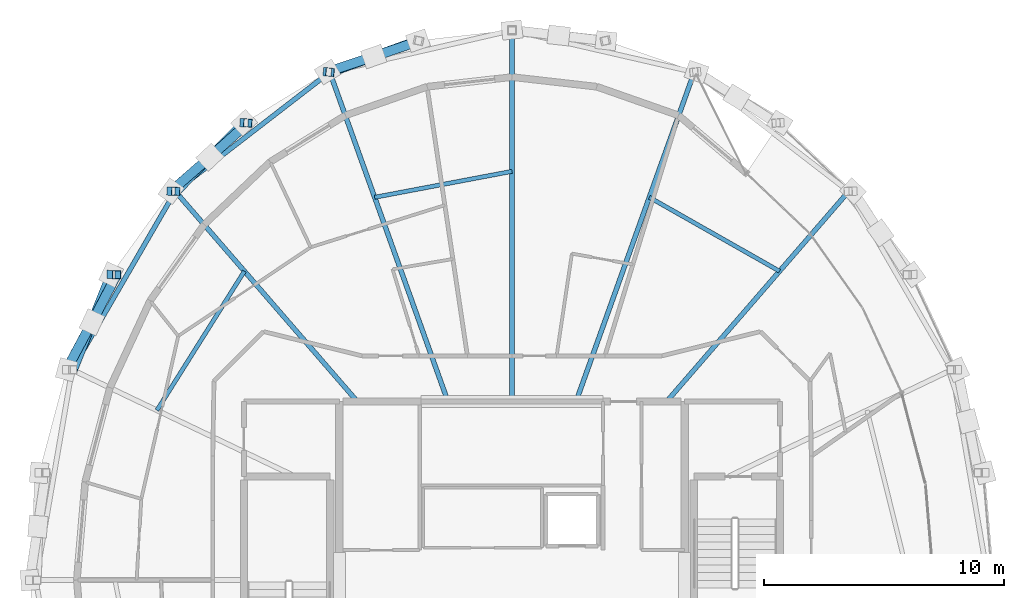
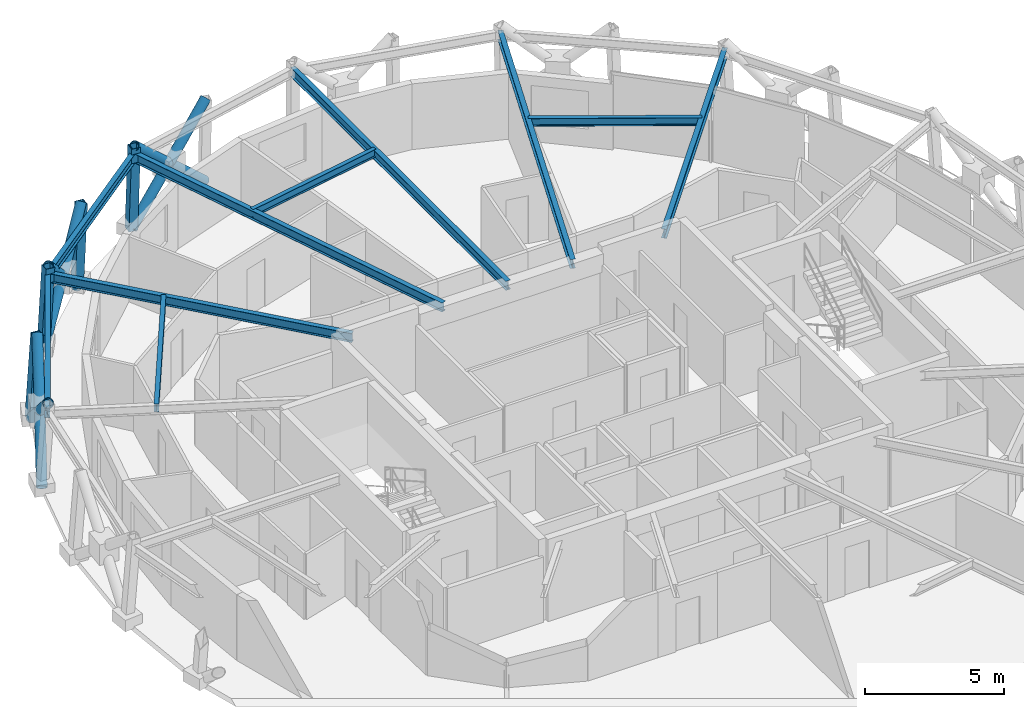
# One storey, part 7 of 17: 13 members, 10 beams.
"""IFC4 building model written with IfcOpenShell, lengths in metres."""

from ifc_helpers import new_model, si_unit, direction, frame, origin, origin_2d, place, context, subcontext, project, spatial, hollow_rectangle, hollow_circle, i_section, extrude, material, material_profile, profile_set, type_object, element, save


model = new_model("IFC4")

# Units and contexts
model_context = context("Model", 3, precision=1e-05, world=origin(), true_north=direction((0.0, 1.0)))
body_context = subcontext(model_context, "Body", "Model", "MODEL_VIEW")
ifc_project = project(units=[si_unit("LENGTHUNIT", "METRE"), si_unit("AREAUNIT", "SQUARE_METRE"), si_unit("VOLUMEUNIT", "CUBIC_METRE"), si_unit("PLANEANGLEUNIT", "RADIAN"), si_unit("MASSUNIT", "GRAM", prefix="KILO")], contexts=[model_context])

# Site, building, storey
site_placement = place(None, origin())
site = spatial("IfcSite", under=ifc_project, at=site_placement, CompositionType="ELEMENT")
building_placement = place(site_placement, origin())
building = spatial("IfcBuilding", under=site, at=building_placement, Name="Veldorina Hangang Commons", CompositionType="ELEMENT")
storey_placement = place(building_placement, frame((0.0, 0.0, 286.800048828125)))
storey = spatial("IfcBuildingStorey", under=building, at=storey_placement, Name="L75", CompositionType="ELEMENT", Elevation=286.800048828125)

# Beams
ifc_material = material(Name="Steel SM355-TMC", Category="steel")
ifc_material_profile_1 = material_profile(ifc_material, i_section(OverallWidth=0.199951171875, OverallDepth=0.39990234375, WebThickness=0.008056640625, FlangeThickness=0.012939453125, FilletRadius=0.012939453125, at=origin_2d()), Name="H-400x200x8x13")
ifc_profile_set_1 = profile_set([ifc_material_profile_1], Name="Steel SM355-TMC")
beam_type_1 = type_object("IfcBeamType", Name="BM-FG400", PredefinedType="BEAM", material=ifc_profile_set_1)
beam_1_placement = place(storey_placement, frame((38.452392578125, 31.449951171875, 3.159912109375), z_axis=(0.654685909514, 0.75590102519, 0.0), x_axis=(-0.75590102519, 0.654685909514, 0.0)))
element("IfcBeam", 1, at=beam_1_placement, inside=storey, type_object=beam_type_1, Name="L75 radial floor girder 03", PredefinedType="BEAM", context=body_context, shape_type="SweptSolid", body=[
    extrude(i_section(OverallWidth=0.199951171875, OverallDepth=0.39990234375, WebThickness=0.008056640625, FlangeThickness=0.012939453125, FilletRadius=0.012939453125, at=origin_2d()), origin(), (0.0, 0.0, 1.0), 11.590087890625),
])
beam_2_placement = place(storey_placement, frame((34.672607421875, 31.449951171875, 3.159912109375), z_axis=(0.337685698743, 0.941258927641, 0.0), x_axis=(-0.941258927641, 0.337685698743, 0.0)))
element("IfcBeam", 2, at=beam_2_placement, inside=storey, type_object=beam_type_1, Name="L75 radial floor girder 04", PredefinedType="BEAM", context=body_context, shape_type="SweptSolid", body=[
    extrude(i_section(OverallWidth=0.199951171875, OverallDepth=0.39990234375, WebThickness=0.008056640625, FlangeThickness=0.012939453125, FilletRadius=0.012939453125, at=origin_2d()), origin(), (0.0, 0.0, 1.0), 14.587646484375),
])
beam_3_placement = place(storey_placement, frame((32.0, 31.449951171875, 3.159912109375), z_axis=(0.0, 1.0, 0.0), x_axis=(-1.0, 0.0, 0.0)))
element("IfcBeam", 3, at=beam_3_placement, inside=storey, type_object=beam_type_1, Name="L75 radial floor girder 05", PredefinedType="BEAM", context=body_context, shape_type="SweptSolid", body=[
    extrude(i_section(OverallWidth=0.199951171875, OverallDepth=0.39990234375, WebThickness=0.008056640625, FlangeThickness=0.012939453125, FilletRadius=0.012939453125, at=origin_2d()), origin(), (0.0, 0.0, 1.0), 15.475830078125),
])
beam_4_placement = place(storey_placement, frame((29.327392578125, 31.449951171875, 3.159912109375), z_axis=(-0.337685698743, 0.941258927641, 0.0), x_axis=(-0.941258927641, -0.337685698743, 0.0)))
element("IfcBeam", 4, at=beam_4_placement, inside=storey, type_object=beam_type_1, Name="L75 radial floor girder 06", PredefinedType="BEAM", context=body_context, shape_type="SweptSolid", body=[
    extrude(i_section(OverallWidth=0.199951171875, OverallDepth=0.39990234375, WebThickness=0.008056640625, FlangeThickness=0.012939453125, FilletRadius=0.012939453125, at=origin_2d()), origin(), (0.0, 0.0, 1.0), 14.587646484375),
])
beam_5_placement = place(storey_placement, frame((25.547607421875, 31.449951171875, 3.159912109375), z_axis=(-0.654685909514, 0.75590102519, 0.0), x_axis=(-0.75590102519, -0.654685909514, 0.0)))
element("IfcBeam", 5, at=beam_5_placement, inside=storey, type_object=beam_type_1, Name="L75 radial floor girder 07", PredefinedType="BEAM", context=body_context, shape_type="SweptSolid", body=[
    extrude(i_section(OverallWidth=0.199951171875, OverallDepth=0.39990234375, WebThickness=0.008056640625, FlangeThickness=0.012939453125, FilletRadius=0.012939453125, at=origin_2d()), origin(), (0.0, 0.0, 1.0), 11.590087890625),
])
ifc_material_profile_2 = material_profile(ifc_material, i_section(OverallWidth=0.175048828125, OverallDepth=0.35009765625, WebThickness=0.007080078125, FlangeThickness=0.010986328125, FilletRadius=0.012939453125, at=origin_2d()), Name="H-350x175x7x11")
ifc_profile_set_2 = profile_set([ifc_material_profile_2], Name="Steel SM355-TMC")
beam_type_2 = type_object("IfcBeamType", Name="BM-JST350", PredefinedType="JOIST", material=ifc_profile_set_2)
beam_6_placement = place(storey_placement, frame((43.156982421875, 36.8818359375, 3.18505859375), z_axis=(-0.869750332147, 0.493492005741, 0.0), x_axis=(-0.493492005741, -0.869750332147, 0.0)))
element("IfcBeam", 6, at=beam_6_placement, inside=storey, type_object=beam_type_2, Name="L75 secondary floor joist 03", PredefinedType="JOIST", context=body_context, shape_type="SweptSolid", body=[
    extrude(i_section(OverallWidth=0.175048828125, OverallDepth=0.35009765625, WebThickness=0.007080078125, FlangeThickness=0.010986328125, FilletRadius=0.012939453125, at=origin_2d()), origin(), (0.0, 0.0, 1.0), 6.243408203125),
])
beam_7_placement = place(storey_placement, frame((32.0, 41.044921875, 3.18505859375), z_axis=(-0.982614677757, -0.185656659071, 0.0), x_axis=(0.185656659071, -0.982614677757, 0.0)))
element("IfcBeam", 7, at=beam_7_placement, inside=storey, type_object=beam_type_2, Name="L75 secondary floor joist 05", PredefinedType="JOIST", context=body_context, shape_type="SweptSolid", body=[
    extrude(i_section(OverallWidth=0.175048828125, OverallDepth=0.35009765625, WebThickness=0.007080078125, FlangeThickness=0.010986328125, FilletRadius=0.012939453125, at=origin_2d()), origin(), (0.0, 0.0, 1.0), 5.828125),
])
beam_8_placement = place(storey_placement, frame((20.843017578125, 36.8818359375, 3.18505859375), z_axis=(-0.532481583611, -0.84644158872, 0.0), x_axis=(0.84644158872, -0.532481583611, 0.0)))
element("IfcBeam", 8, at=beam_8_placement, inside=storey, type_object=beam_type_2, Name="L75 secondary floor joist 07", PredefinedType="JOIST", context=body_context, shape_type="SweptSolid", body=[
    extrude(i_section(OverallWidth=0.175048828125, OverallDepth=0.35009765625, WebThickness=0.007080078125, FlangeThickness=0.010986328125, FilletRadius=0.012939453125, at=origin_2d()), origin(), (0.0, 0.0, 1.0), 6.85302734375),
])
ifc_material_profile_3 = material_profile(ifc_material, i_section(OverallWidth=0.199951171875, OverallDepth=0.39990234375, WebThickness=0.008056640625, FlangeThickness=0.012939453125, FilletRadius=0.012939453125, at=origin_2d()), Name="H-400x200x8x13")
ifc_profile_set_3 = profile_set([ifc_material_profile_3], Name="Steel SM355-TMC")
beam_type_3 = type_object("IfcBeamType", Name="BM-RB400", PredefinedType="BEAM", material=ifc_profile_set_3)
beam_9_placement = place(storey_placement, frame((24.4013671875, 45.1806640625, 3.159912109375), z_axis=(-0.791755303075, -0.610838391109, 0.0), x_axis=(0.610838391109, -0.791755303075, 0.0)))
element("IfcBeam", 9, at=beam_9_placement, inside=storey, type_object=beam_type_3, Name="L75 perimeter hoop ring beam 10", PredefinedType="BEAM", context=body_context, shape_type="SweptSolid", body=[
    extrude(i_section(OverallWidth=0.199951171875, OverallDepth=0.39990234375, WebThickness=0.008056640625, FlangeThickness=0.012939453125, FilletRadius=0.012939453125, at=origin_2d()), origin(), (0.0, 0.0, 1.0), 8.135986328125),
])
beam_10_placement = place(storey_placement, frame((17.959716796875, 40.2109375, 3.159912109375), z_axis=(-0.500873874956, -0.865520283637, 0.0), x_axis=(0.865520283637, -0.500873874956, 0.0)))
element("IfcBeam", 10, at=beam_10_placement, inside=storey, type_object=beam_type_3, Name="L75 perimeter hoop ring beam 12", PredefinedType="BEAM", context=body_context, shape_type="SweptSolid", body=[
    extrude(i_section(OverallWidth=0.199951171875, OverallDepth=0.39990234375, WebThickness=0.008056640625, FlangeThickness=0.012939453125, FilletRadius=0.012939453125, at=origin_2d()), origin(), (0.0, 0.0, 1.0), 8.59326171875),
])

# Members
ifc_material_profile_4 = material_profile(ifc_material, hollow_circle(Radius=0.199951171875, WallThickness=0.02001953125, at=origin_2d()), Name="CHS-400x20")
ifc_profile_set_4 = profile_set([ifc_material_profile_4], Name="Steel SM355-TMC")
member_type_1 = type_object("IfcMemberType", Name="DG-CHS400", PredefinedType="BRACE", material=ifc_profile_set_4)
member_1_placement = place(storey_placement, frame((28.077392578125, 46.49560546875, 0.0), z_axis=(-0.690853382679, -0.248305655206, 0.679018339395), x_axis=(0.338235183371, -0.941061613674, 0.0)))
element("IfcMember", 11, at=member_1_placement, inside=storey, type_object=member_type_1, Name="L75 continuous perimeter diagrid brace 09", PredefinedType="BRACE", context=body_context, shape_type="SweptSolid", body=[
    extrude(hollow_circle(Radius=0.199951171875, WallThickness=0.02001953125, at=origin_2d()), origin(), (0.0, 0.0, 1.0), 5.301513671875),
])
member_2_placement = place(storey_placement, frame((24.305908203125, 45.1904296875, 0.0), z_axis=(0.708257356059, 0.236085785353, 0.665308213945), x_axis=(-0.316227766017, 0.948683298051, 0.0)))
element("IfcMember", 12, at=member_2_placement, inside=storey, type_object=member_type_1, Name="L75 split perimeter diagrid lower brace 10", PredefinedType="BRACE", context=body_context, shape_type="SweptSolid", body=[
    extrude(hollow_circle(Radius=0.199951171875, WallThickness=0.02001953125, at=origin_2d()), origin(), (0.0, 0.0, 1.0), 2.722900390625),
])
member_3_placement = place(storey_placement, frame((26.234375, 45.833251953125, 1.8115234375), z_axis=(0.706316633592, 0.241947732016, 0.665265441823), x_axis=(-0.324063072238, 0.946035477776, 0.0)))
element("IfcMember", 13, at=member_3_placement, inside=storey, type_object=member_type_1, Name="L75 split perimeter diagrid upper brace 10", PredefinedType="BRACE", context=body_context, shape_type="SweptSolid", body=[
    extrude(hollow_circle(Radius=0.199951171875, WallThickness=0.02001953125, at=origin_2d()), origin(), (0.0, 0.0, 1.0), 2.688232421875),
])
member_4_placement = place(storey_placement, frame((20.829833984375, 43.07080078125, 0.0), z_axis=(-0.526248276566, -0.529047469526, 0.66571129358), x_axis=(0.708979901853, -0.705228685441, 0.0)))
element("IfcMember", 14, at=member_4_placement, inside=storey, type_object=member_type_1, Name="L75 continuous perimeter diagrid brace 11", PredefinedType="BRACE", context=body_context, shape_type="SweptSolid", body=[
    extrude(hollow_circle(Radius=0.199951171875, WallThickness=0.02001953125, at=origin_2d()), origin(), (0.0, 0.0, 1.0), 5.407470703125),
])
member_5_placement = place(storey_placement, frame((17.782958984375, 40.218505859375, 0.0), z_axis=(0.576231404716, 0.504180750944, 0.643241120107), x_axis=(-0.65848853509, 0.752590758085, 0.0)))
element("IfcMember", 15, at=member_5_placement, inside=storey, type_object=member_type_1, Name="L75 split perimeter diagrid lower brace 12", PredefinedType="BRACE", context=body_context, shape_type="SweptSolid", body=[
    extrude(hollow_circle(Radius=0.199951171875, WallThickness=0.02001953125, at=origin_2d()), origin(), (0.0, 0.0, 1.0), 2.80908203125),
])
member_6_placement = place(storey_placement, frame((19.401611328125, 41.634765625, 1.806884765625), z_axis=(0.569249885944, 0.511772908081, 0.64346177657), x_axis=(-0.668566235641, 0.743652599377, 0.0)))
element("IfcMember", 16, at=member_6_placement, inside=storey, type_object=member_type_1, Name="L75 split perimeter diagrid upper brace 12", PredefinedType="BRACE", context=body_context, shape_type="SweptSolid", body=[
    extrude(hollow_circle(Radius=0.199951171875, WallThickness=0.02001953125, at=origin_2d()), origin(), (0.0, 0.0, 1.0), 2.786376953125),
])
member_7_placement = place(storey_placement, frame((15.28271484375, 36.742919921875, 0.0), z_axis=(-0.285286488395, -0.71002890638, 0.643793889101), x_axis=(0.927901050106, -0.372826556475, 0.0)))
element("IfcMember", 17, at=member_7_placement, inside=storey, type_object=member_type_1, Name="L75 continuous perimeter diagrid brace 13", PredefinedType="BRACE", context=body_context, shape_type="SweptSolid", body=[
    extrude(hollow_circle(Radius=0.199951171875, WallThickness=0.02001953125, at=origin_2d()), origin(), (0.0, 0.0, 1.0), 5.591552734375),
])
member_8_placement = place(storey_placement, frame((13.424560546875, 32.77734375, 0.0), z_axis=(0.368081642554, 0.687130975959, 0.626391990923), x_axis=(-0.881492912368, 0.472197252687, 0.0)))
element("IfcMember", 18, at=member_8_placement, inside=storey, type_object=member_type_1, Name="L75 split perimeter diagrid lower brace 14", PredefinedType="BRACE", context=body_context, shape_type="SweptSolid", body=[
    extrude(hollow_circle(Radius=0.199951171875, WallThickness=0.02001953125, at=origin_2d()), origin(), (0.0, 0.0, 1.0), 2.8779296875),
])
member_9_placement = place(storey_placement, frame((14.48388671875, 34.7548828125, 1.802734375), z_axis=(0.3609869937, 0.690735546775, 0.62655629819), x_axis=(-0.886267220598, 0.463174280044, 0.0)))
element("IfcMember", 19, at=member_9_placement, inside=storey, type_object=member_type_1, Name="L75 split perimeter diagrid upper brace 14", PredefinedType="BRACE", context=body_context, shape_type="SweptSolid", body=[
    extrude(hollow_circle(Radius=0.199951171875, WallThickness=0.02001953125, at=origin_2d()), origin(), (0.0, 0.0, 1.0), 2.8681640625),
])
ifc_material_profile_5 = material_profile(ifc_material, hollow_rectangle(XDim=0.35009765625, YDim=0.35009765625, WallThickness=0.01611328125, at=origin_2d()), Name="SHS-350x350x16")
ifc_profile_set_5 = profile_set([ifc_material_profile_5], Name="Steel SM355-TMC")
member_type_2 = type_object("IfcMemberType", Name="STR-SHS350", PredefinedType="STRUT", material=ifc_profile_set_5)
member_10_placement = place(storey_placement, frame((24.305908203125, 45.1904296875, 0.0), z_axis=(0.030233567091, -0.003118260283, 0.999537997214), x_axis=(0.102594773028, 0.994723234145, 0.0)))
element("IfcMember", 20, at=member_10_placement, inside=storey, type_object=member_type_2, Name="L75 perimeter ring node post 10", PredefinedType="STRUT", context=body_context, shape_type="SweptSolid", body=[
    extrude(hollow_rectangle(XDim=0.35009765625, YDim=0.35009765625, WallThickness=0.01611328125, at=origin_2d()), origin(), (0.0, 0.0, 1.0), 3.6015625),
])
member_11_placement = place(storey_placement, frame((20.829833984375, 43.07080078125, 0.0), z_axis=(0.043836930479, -0.00277791986, 0.999034837574), x_axis=(0.063242543517, 0.997998186717, 0.0)))
element("IfcMember", 21, at=member_11_placement, inside=storey, type_object=member_type_2, Name="L75 perimeter ring node post 11", PredefinedType="STRUT", context=body_context, shape_type="SweptSolid", body=[
    extrude(hollow_rectangle(XDim=0.35009765625, YDim=0.35009765625, WallThickness=0.01611328125, at=origin_2d()), origin(), (0.0, 0.0, 1.0), 3.603271484375),
])
member_12_placement = place(storey_placement, frame((17.782958984375, 40.218505859375, 0.0), z_axis=(0.055796137019, -0.002369981548, 0.998439369357), x_axis=(0.042437462837, 0.999099125086, 0.0)))
element("IfcMember", 22, at=member_12_placement, inside=storey, type_object=member_type_2, Name="L75 perimeter ring node post 12", PredefinedType="STRUT", context=body_context, shape_type="SweptSolid", body=[
    extrude(hollow_rectangle(XDim=0.35009765625, YDim=0.35009765625, WallThickness=0.01611328125, at=origin_2d()), origin(), (0.0, 0.0, 1.0), 3.60546875),
])
member_13_placement = place(storey_placement, frame((15.28271484375, 36.742919921875, 0.0), z_axis=(0.065575624504, -0.001894858087, 0.99784580321), x_axis=(0.028883712899, 0.999582778528, 0.0)))
element("IfcMember", 23, at=member_13_placement, inside=storey, type_object=member_type_2, Name="L75 perimeter ring node post 13", PredefinedType="STRUT", context=body_context, shape_type="SweptSolid", body=[
    extrude(hollow_rectangle(XDim=0.35009765625, YDim=0.35009765625, WallThickness=0.01611328125, at=origin_2d()), origin(), (0.0, 0.0, 1.0), 3.607666015625),
])

save(model, "model.ifc")
